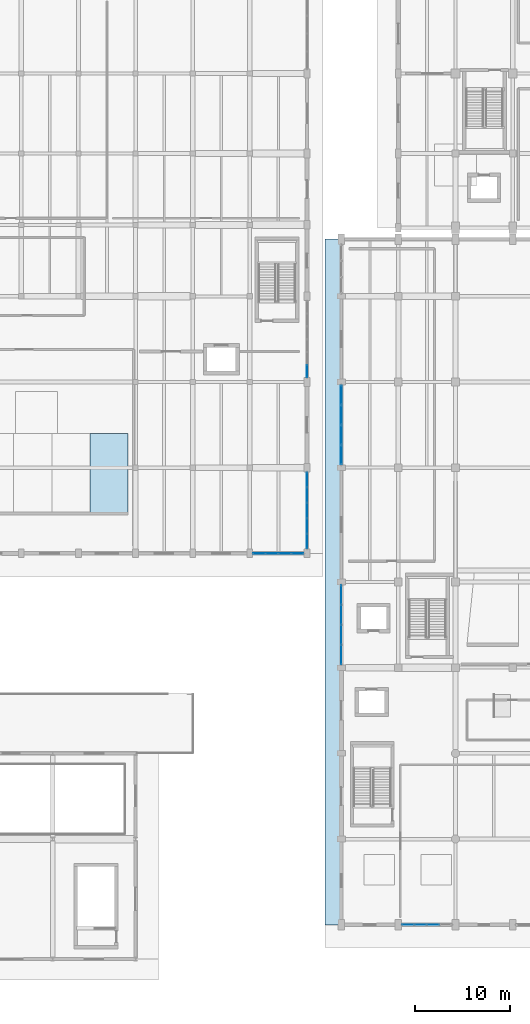
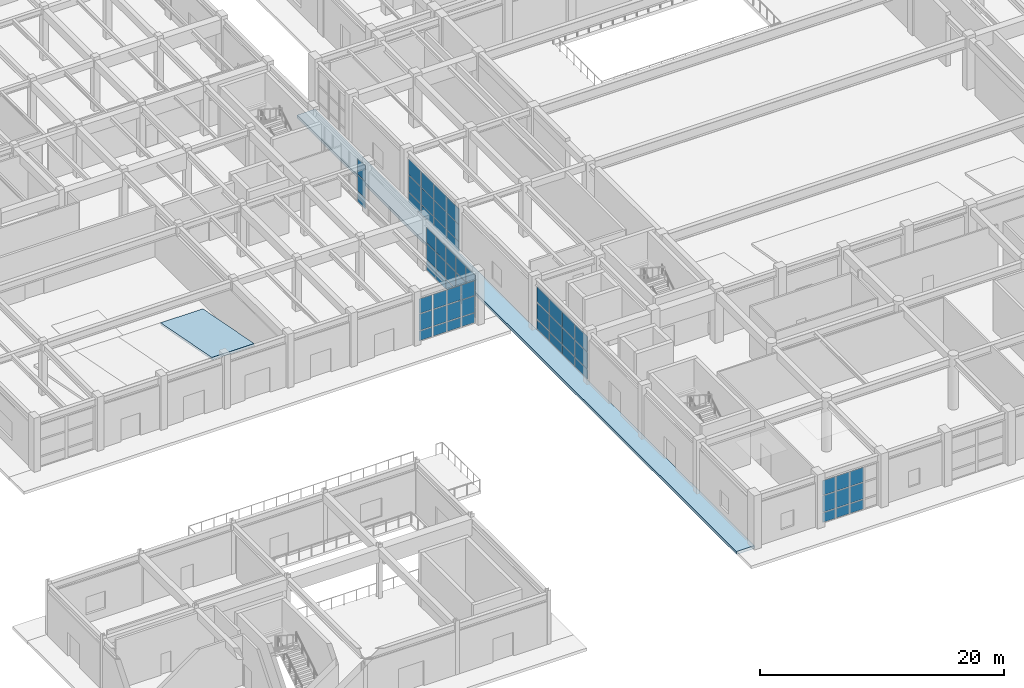
# One storey, part 61 of 91: 63 plates, 2 slabs, 6 elements without a shape of their own.
"""IFC4 building model written with IfcOpenShell, lengths in metres."""

import ifcopenshell
import ifcopenshell.guid

model = None  # the IFC model being written
_history = None  # IfcOwnerHistory: only IFC2X3 demands one
_inside = {}  # id of a spatial element -> (the spatial element, [elements in it])
_under = {}  # id of a project, library or spatial element -> (it, [spatial elements below it])
_declared = {}  # id of a project -> (the project, [libraries it declares])
_typed = {}  # id of a type object -> (the type object, [elements of that type])
_made_of = {}  # id of a material, layer set ... -> (it, [elements and type objects made of it])


def new_model(schema):
    """Start an empty IFC model of exactly this schema.

    Asked for "IFC4X3", IfcOpenShell would pick the latest addendum, in which some entities
    have other attributes; the version numbers below select the first issue.
    IFC2X3 requires an IfcOwnerHistory on every rooted entity: one is made here for all.
    """
    global model, _history
    if schema == "IFC4X3":
        model = ifcopenshell.file(schema_version=(4, 3, 0, 0))
    else:
        model = ifcopenshell.file(schema=schema)
    _inside.clear()
    _under.clear()
    _declared.clear()
    _typed.clear()
    _made_of.clear()
    _history = None
    if model.schema == "IFC2X3":
        org = make("IfcOrganization", Name="unknown")
        user = make(
            "IfcPersonAndOrganization",
            ThePerson=make("IfcPerson", FamilyName="unknown"),
            TheOrganization=org,
        )
        app = make(
            "IfcApplication",
            ApplicationDeveloper=org,
            Version="unknown",
            ApplicationFullName="unknown",
            ApplicationIdentifier="unknown",
        )
        _history = make(
            "IfcOwnerHistory",
            OwningUser=user,
            OwningApplication=app,
            ChangeAction="ADDED",
            CreationDate=0,
        )
    return model


def make(cls, **values):
    """One entity of the class cls with the attributes given. An attribute that is None is left unset."""
    return model.create_entity(
        cls, **{name: value for name, value in values.items() if value is not None}
    )


def rooted(cls, **values):
    """An entity with a GlobalId (a new one), such as an element, a storey or a relation."""
    return make(cls, GlobalId=ifcopenshell.guid.new(), OwnerHistory=_history, **values)


def si_unit(unit_type, name, prefix=None):
    """IfcSIUnit, for example si_unit("LENGTHUNIT", "METRE", prefix="MILLI")."""
    return make("IfcSIUnit", UnitType=unit_type, Prefix=prefix, Name=name)


def assignment(units):
    """IfcUnitAssignment: the units of a project."""
    return None if units is None else make("IfcUnitAssignment", Units=units)


def point(xyz):
    """IfcCartesianPoint."""
    return None if xyz is None else make("IfcCartesianPoint", Coordinates=xyz)


def direction(xyz):
    """IfcDirection."""
    return None if xyz is None else make("IfcDirection", DirectionRatios=xyz)


def frame(location, z_axis=None, x_axis=None):
    """IfcAxis2Placement3D, a coordinate frame: its origin and axes. An axis left out is left unset."""
    return make(
        "IfcAxis2Placement3D",
        Location=point(location),
        Axis=direction(z_axis),
        RefDirection=direction(x_axis),
    )


def frame_2d(location, x_axis=None):
    """IfcAxis2Placement2D, a coordinate frame in the plane: its origin and x axis."""
    return make(
        "IfcAxis2Placement2D", Location=point(location), RefDirection=direction(x_axis)
    )


def origin():
    """The frame at (0, 0, 0) with its axes left unset."""
    return frame((0.0, 0.0, 0.0))


def origin_2d():
    """The frame at (0, 0) in the plane with its x axis left unset."""
    return frame_2d((0.0, 0.0))


def place(relative_to, where):
    """IfcLocalPlacement: puts the frame where relative to a parent placement (None: the world)."""
    return make(
        "IfcLocalPlacement", PlacementRelTo=relative_to, RelativePlacement=where
    )


def context(
    kind, dimensions, precision=None, world=None, true_north=None, identifier=None
):
    """IfcGeometricRepresentationContext, for example the 3D "Model" context."""
    return make(
        "IfcGeometricRepresentationContext",
        ContextIdentifier=identifier,
        ContextType=kind,
        CoordinateSpaceDimension=dimensions,
        Precision=precision,
        WorldCoordinateSystem=world,
        TrueNorth=true_north,
    )


def subcontext(parent, identifier, kind, view, scale=None):
    """IfcGeometricRepresentationSubContext, for example "Body" below "Model"."""
    return make(
        "IfcGeometricRepresentationSubContext",
        ContextIdentifier=identifier,
        ContextType=kind,
        ParentContext=parent,
        TargetScale=scale,
        TargetView=view,
    )


def project(units=None, contexts=None):
    """IfcProject with its units and contexts."""
    return rooted(
        "IfcProject",
        Name="project",
        RepresentationContexts=contexts,
        UnitsInContext=assignment(units),
    )


def spatial(cls, under=None, at=None, **own):
    """A site, building, storey or space (cls), placed at a placement, below another one or the project."""
    s = rooted(cls, ObjectPlacement=at, **own)
    if under is not None:
        _under.setdefault(under.id(), (under, []))[1].append(s)
    return s


def polyline(points):
    """IfcPolyline through the points."""
    return make("IfcPolyline", Points=[point(p) for p in points])


def profile(cls, at=None, kind="AREA", **sizes):
    """A parametric profile (cls). Its sizes go by their IFC names, for example OverallWidth=200.0."""
    return make(cls, ProfileType=kind, Position=at, **sizes)


def rectangle(**sizes):
    """IfcRectangleProfileDef."""
    return profile("IfcRectangleProfileDef", **sizes)


def outline(outer, holes=None, kind="AREA"):
    """IfcArbitraryClosedProfileDef: a profile drawn as a closed curve; with holes, ...WithVoids."""
    if holes is None:
        return make("IfcArbitraryClosedProfileDef", ProfileType=kind, OuterCurve=outer)
    return make(
        "IfcArbitraryProfileDefWithVoids",
        ProfileType=kind,
        OuterCurve=outer,
        InnerCurves=holes,
    )


def extrude(swept, where, along, depth):
    """IfcExtrudedAreaSolid: the profile swept, set in the frame where, extruded along a direction by depth."""
    return make(
        "IfcExtrudedAreaSolid",
        SweptArea=swept,
        Position=where,
        ExtrudedDirection=direction(along),
        Depth=depth,
    )


def shape(context_of_items, identifier, shape_type, items):
    """IfcShapeRepresentation: the items that make up one representation, for example the "Body"."""
    return make(
        "IfcShapeRepresentation",
        ContextOfItems=context_of_items,
        RepresentationIdentifier=identifier,
        RepresentationType=shape_type,
        Items=items,
    )


def material(Name=None, Category=None):
    """IfcMaterial."""
    return make("IfcMaterial", Name=Name, Category=Category)


def layer(
    of_material, thickness, ventilated=None, Name=None, Category=None, Priority=None
):
    """IfcMaterialLayer: one layer of a wall or slab, of a material (None: an air gap)."""
    return make(
        "IfcMaterialLayer",
        Material=of_material,
        LayerThickness=thickness,
        IsVentilated=ventilated,
        Name=Name,
        Category=Category,
        Priority=Priority,
    )


def layer_set(layers, Name=None):
    """IfcMaterialLayerSet."""
    return make("IfcMaterialLayerSet", MaterialLayers=layers, LayerSetName=Name)


def made_of(thing, what):
    """Note that an element or type object is made of a material, layer set ...; save() writes the relation."""
    if what is not None:
        _made_of.setdefault(what.id(), (what, []))[1].append(thing)
    return thing


def type_object(cls, material=None, **own):
    """A type object (cls), such as IfcWallType, which elements share."""
    return made_of(rooted(cls, **own), material)


def element(
    cls,
    number,
    at=None,
    inside=None,
    cuts=None,
    type_object=None,
    material=None,
    context=None,
    identifier="Body",
    shape_type=None,
    held_by="IfcProductDefinitionShape",
    body=None,
    shapes=None,
    **own,
):
    """One element of the class cls, such as IfcWall. Its Tag is "e" and its number.

    at: its placement. inside: the storey or other place that contains it. cuts: it is an
    opening in that element (IfcRelVoidsElement). A single representation is given by context,
    identifier, shape_type and body (its items); several are given by shapes. held_by: the class
    of the entity that holds the representations. save() writes the other relations.
    """
    e = rooted(cls, Tag="e%d" % number, ObjectPlacement=at, **own)
    if body is not None:
        shapes = [shape(context, identifier, shape_type, body)]
    if shapes is not None:
        e.Representation = make(held_by, Representations=shapes)
    if inside is not None:
        _inside.setdefault(inside.id(), (inside, []))[1].append(e)
    if cuts is not None:
        rooted(
            "IfcRelVoidsElement", RelatingBuildingElement=cuts, RelatedOpeningElement=e
        )
    if type_object is not None:
        _typed.setdefault(type_object.id(), (type_object, []))[1].append(e)
    return made_of(e, material)


def aggregate(whole, parts):
    """IfcRelAggregates: a whole, such as a stair, and the parts it consists of."""
    return rooted("IfcRelAggregates", RelatingObject=whole, RelatedObjects=parts)


def save(model, path):
    """Write the relations noted so far, then the file.

    IfcRelAggregates (storeys below a building ...), IfcRelContainedInSpatialStructure (elements
    in a storey), IfcRelDefinesByType, IfcRelAssociatesMaterial and IfcRelDeclares: one each for
    every whole, place, type object, material and project.
    """
    for whole, parts in _under.values():
        aggregate(whole, parts)
    for where, things in _inside.values():
        rooted(
            "IfcRelContainedInSpatialStructure",
            RelatedElements=things,
            RelatingStructure=where,
        )
    for kind, things in _typed.values():
        rooted("IfcRelDefinesByType", RelatedObjects=things, RelatingType=kind)
    for what, things in _made_of.values():
        rooted("IfcRelAssociatesMaterial", RelatedObjects=things, RelatingMaterial=what)
    for by, libraries in _declared.values():
        rooted("IfcRelDeclares", RelatingContext=by, RelatedDefinitions=libraries)
    model.write(path)


model = new_model("IFC4")

# Units and contexts
model_context = context("Model", 3, precision=1e-05, world=origin(), true_north=direction((0.0, 1.0)))
body_context = subcontext(model_context, "Body", "Model", "MODEL_VIEW")
ifc_project = project(units=[si_unit("LENGTHUNIT", "METRE"), si_unit("AREAUNIT", "SQUARE_METRE"), si_unit("VOLUMEUNIT", "CUBIC_METRE"), si_unit("PLANEANGLEUNIT", "RADIAN"), si_unit("MASSUNIT", "GRAM", prefix="KILO")], contexts=[model_context])

# Site, building, storey
site_placement = place(None, origin())
site = spatial("IfcSite", under=ifc_project, at=site_placement, CompositionType="ELEMENT")
building_placement = place(site_placement, origin())
building = spatial("IfcBuilding", under=site, at=building_placement, Name="Vaelkrest Opera House", CompositionType="ELEMENT")
storey_placement = place(building_placement, origin())
storey = spatial("IfcBuildingStorey", under=building, at=storey_placement, Name="L00", CompositionType="ELEMENT", Elevation=0.0)

# Curtain wall, plates
ifc_material_1 = material(Name="Dark bronze anodized aluminium", Category="aluminium")
ifc_layer_1 = layer(ifc_material_1, 0.179931640625)
ifc_layer_set_1 = layer_set([ifc_layer_1], Name="Dark bronze anodized aluminium")
curtain_wall_type_1 = type_object("IfcCurtainWallType", Name="CW01", PredefinedType="NOTDEFINED", material=ifc_layer_set_1)
curtain_wall_1_placement = place(storey_placement, origin())
curtain_wall_1 = element("IfcCurtainWall", 1, at=curtain_wall_1_placement, inside=storey, type_object=curtain_wall_type_1, Name="Curtain wall CW-L00-097", PredefinedType="NOTDEFINED")
ifc_material_2 = material(Name="Double low-E insulated glazing", Category="glass")
ifc_layer_2 = layer(ifc_material_2, 0.02587890625)
ifc_layer_set_2 = layer_set([ifc_layer_2], Name="Double low-E insulated glazing")
plate_type_1 = type_object("IfcPlateType", Name="CWP01", PredefinedType="CURTAIN_PANEL", material=ifc_layer_set_2)
plate_1_placement = place(storey_placement, frame((-33.60009765625, 2.339599609375, 0.06494140625), z_axis=(0.0, 0.0, 1.0), x_axis=(0.0, -1.0, 0.0)))
plate_1 = element("IfcPlate", 2, at=plate_1_placement, type_object=plate_type_1, Name="CW01 panel 6.1", PredefinedType="CURTAIN_PANEL", context=body_context, shape_type="SweptSolid", body=[
    extrude(rectangle(XDim=1.253173828125, YDim=0.02587890625, at=origin_2d()), origin(), (0.0, 0.0, 1.0), 0.952392578125),
])
plate_2_placement = place(storey_placement, frame((-33.60009765625, 2.339599609375, 1.08251953125), z_axis=(0.0, 0.0, 1.0), x_axis=(0.0, -1.0, 0.0)))
plate_2 = element("IfcPlate", 3, at=plate_2_placement, type_object=plate_type_1, Name="CW01 panel 6.2", PredefinedType="CURTAIN_PANEL", context=body_context, shape_type="SweptSolid", body=[
    extrude(rectangle(XDim=1.253173828125, YDim=0.02587890625, at=origin_2d()), origin(), (0.0, 0.0, 1.0), 1.635009765625),
])
plate_3_placement = place(storey_placement, frame((-33.60009765625, 2.339599609375, 2.78271484375), z_axis=(0.0, 0.0, 1.0), x_axis=(0.0, -1.0, 0.0)))
plate_3 = element("IfcPlate", 4, at=plate_3_placement, type_object=plate_type_1, Name="CW01 panel 6.3", PredefinedType="CURTAIN_PANEL", context=body_context, shape_type="SweptSolid", body=[
    extrude(rectangle(XDim=1.253173828125, YDim=0.02587890625, at=origin_2d()), origin(), (0.0, 0.0, 1.0), 1.556396484375),
])
aggregate(curtain_wall_1, [plate_1, plate_2, plate_3])

ifc_layer_3 = layer(ifc_material_1, 0.18994140625)
ifc_layer_set_3 = layer_set([ifc_layer_3], Name="Dark bronze anodized aluminium")
curtain_wall_type_2 = type_object("IfcCurtainWallType", Name="CW02", PredefinedType="NOTDEFINED", material=ifc_layer_set_3)
curtain_wall_2_placement = place(storey_placement, origin())
curtain_wall_2 = element("IfcCurtainWall", 5, at=curtain_wall_2_placement, inside=storey, type_object=curtain_wall_type_2, Name="Curtain wall CW-L00-013", PredefinedType="NOTDEFINED")
ifc_layer_4 = layer(ifc_material_2, 0.030029296875)
ifc_layer_set_4 = layer_set([ifc_layer_4], Name="Double low-E insulated glazing")
plate_type_2 = type_object("IfcPlateType", Name="CWP02", PredefinedType="CURTAIN_PANEL", material=ifc_layer_set_4)
plate_4_placement = place(storey_placement, frame((-20.3369140625, -55.800048828125, 0.06982421875), z_axis=(0.0, 0.0, 1.0), x_axis=(-1.0, 0.0, 0.0)))
plate_4 = element("IfcPlate", 6, at=plate_4_placement, type_object=plate_type_2, Name="CW02 panel 2.1", PredefinedType="CURTAIN_PANEL", context=body_context, shape_type="SweptSolid", body=[
    extrude(rectangle(XDim=1.256103515625, YDim=0.030029296875, at=origin_2d()), origin(), (0.0, 0.0, 1.0), 0.945068359375),
])
plate_5_placement = place(storey_placement, frame((-20.3369140625, -55.800048828125, 1.0849609375), z_axis=(0.0, 0.0, 1.0), x_axis=(-1.0, 0.0, 0.0)))
plate_5 = element("IfcPlate", 7, at=plate_5_placement, type_object=plate_type_2, Name="CW02 panel 2.2", PredefinedType="CURTAIN_PANEL", context=body_context, shape_type="SweptSolid", body=[
    extrude(rectangle(XDim=1.256103515625, YDim=0.030029296875, at=origin_2d()), origin(), (0.0, 0.0, 1.0), 1.6298828125),
])
plate_6_placement = place(storey_placement, frame((-20.3369140625, -55.800048828125, 2.78515625), z_axis=(0.0, 0.0, 1.0), x_axis=(-1.0, 0.0, 0.0)))
plate_6 = element("IfcPlate", 8, at=plate_6_placement, type_object=plate_type_2, Name="CW02 panel 2.3", PredefinedType="CURTAIN_PANEL", context=body_context, shape_type="SweptSolid", body=[
    extrude(rectangle(XDim=1.256103515625, YDim=0.030029296875, at=origin_2d()), origin(), (0.0, 0.0, 1.0), 1.465087890625),
])
plate_7_placement = place(storey_placement, frame((-21.6630859375, -55.800048828125, 0.06982421875), z_axis=(0.0, 0.0, 1.0), x_axis=(-1.0, 0.0, 0.0)))
plate_7 = element("IfcPlate", 9, at=plate_7_placement, type_object=plate_type_2, Name="CW02 panel 3.1", PredefinedType="CURTAIN_PANEL", context=body_context, shape_type="SweptSolid", body=[
    extrude(rectangle(XDim=1.256103515625, YDim=0.030029296875, at=origin_2d()), origin(), (0.0, 0.0, 1.0), 0.945068359375),
])
plate_8_placement = place(storey_placement, frame((-21.6630859375, -55.800048828125, 1.0849609375), z_axis=(0.0, 0.0, 1.0), x_axis=(-1.0, 0.0, 0.0)))
plate_8 = element("IfcPlate", 10, at=plate_8_placement, type_object=plate_type_2, Name="CW02 panel 3.2", PredefinedType="CURTAIN_PANEL", context=body_context, shape_type="SweptSolid", body=[
    extrude(rectangle(XDim=1.256103515625, YDim=0.030029296875, at=origin_2d()), origin(), (0.0, 0.0, 1.0), 1.6298828125),
])
plate_9_placement = place(storey_placement, frame((-21.6630859375, -55.800048828125, 2.78515625), z_axis=(0.0, 0.0, 1.0), x_axis=(-1.0, 0.0, 0.0)))
plate_9 = element("IfcPlate", 11, at=plate_9_placement, type_object=plate_type_2, Name="CW02 panel 3.3", PredefinedType="CURTAIN_PANEL", context=body_context, shape_type="SweptSolid", body=[
    extrude(rectangle(XDim=1.256103515625, YDim=0.030029296875, at=origin_2d()), origin(), (0.0, 0.0, 1.0), 1.465087890625),
])
plate_10_placement = place(storey_placement, frame((-22.971435546875, -55.800048828125, 0.06982421875), z_axis=(0.0, 0.0, 1.0), x_axis=(-1.0, 0.0, 0.0)))
plate_10 = element("IfcPlate", 12, at=plate_10_placement, type_object=plate_type_2, Name="CW02 panel 4.1", PredefinedType="CURTAIN_PANEL", context=body_context, shape_type="SweptSolid", body=[
    extrude(rectangle(XDim=1.220947265625, YDim=0.030029296875, at=origin_2d()), origin(), (0.0, 0.0, 1.0), 0.945068359375),
])
plate_11_placement = place(storey_placement, frame((-22.971435546875, -55.800048828125, 1.0849609375), z_axis=(0.0, 0.0, 1.0), x_axis=(-1.0, 0.0, 0.0)))
plate_11 = element("IfcPlate", 13, at=plate_11_placement, type_object=plate_type_2, Name="CW02 panel 4.2", PredefinedType="CURTAIN_PANEL", context=body_context, shape_type="SweptSolid", body=[
    extrude(rectangle(XDim=1.220947265625, YDim=0.030029296875, at=origin_2d()), origin(), (0.0, 0.0, 1.0), 1.6298828125),
])
plate_12_placement = place(storey_placement, frame((-22.971435546875, -55.800048828125, 2.78515625), z_axis=(0.0, 0.0, 1.0), x_axis=(-1.0, 0.0, 0.0)))
plate_12 = element("IfcPlate", 14, at=plate_12_placement, type_object=plate_type_2, Name="CW02 panel 4.3", PredefinedType="CURTAIN_PANEL", context=body_context, shape_type="SweptSolid", body=[
    extrude(rectangle(XDim=1.220947265625, YDim=0.030029296875, at=origin_2d()), origin(), (0.0, 0.0, 1.0), 1.465087890625),
])
aggregate(curtain_wall_2, [plate_4, plate_5, plate_6, plate_7, plate_8, plate_9, plate_10, plate_11, plate_12])

curtain_wall_3_placement = place(storey_placement, origin())
curtain_wall_3 = element("IfcCurtainWall", 15, at=curtain_wall_3_placement, inside=storey, type_object=curtain_wall_type_2, Name="Curtain wall CW-L00-088", PredefinedType="NOTDEFINED")
plate_13_placement = place(storey_placement, frame((-34.591064453125, -16.800048828125, 0.06982421875), z_axis=(0.0, 0.0, 1.0), x_axis=(-1.0, 0.0, 0.0)))
plate_13 = element("IfcPlate", 16, at=plate_13_placement, type_object=plate_type_2, Name="CW02 panel 1.1", PredefinedType="CURTAIN_PANEL", context=body_context, shape_type="SweptSolid", body=[
    extrude(rectangle(XDim=1.24609375, YDim=0.030029296875, at=origin_2d()), origin(), (0.0, 0.0, 1.0), 0.945068359375),
])
plate_14_placement = place(storey_placement, frame((-34.591064453125, -16.800048828125, 1.0849609375), z_axis=(0.0, 0.0, 1.0), x_axis=(-1.0, 0.0, 0.0)))
plate_14 = element("IfcPlate", 17, at=plate_14_placement, type_object=plate_type_2, Name="CW02 panel 1.2", PredefinedType="CURTAIN_PANEL", context=body_context, shape_type="SweptSolid", body=[
    extrude(rectangle(XDim=1.24609375, YDim=0.030029296875, at=origin_2d()), origin(), (0.0, 0.0, 1.0), 1.6298828125),
])
plate_15_placement = place(storey_placement, frame((-34.591064453125, -16.800048828125, 2.78515625), z_axis=(0.0, 0.0, 1.0), x_axis=(-1.0, 0.0, 0.0)))
plate_15 = element("IfcPlate", 18, at=plate_15_placement, type_object=plate_type_2, Name="CW02 panel 1.3", PredefinedType="CURTAIN_PANEL", context=body_context, shape_type="SweptSolid", body=[
    extrude(rectangle(XDim=1.24609375, YDim=0.030029296875, at=origin_2d()), origin(), (0.0, 0.0, 1.0), 1.465087890625),
])
plate_16_placement = place(storey_placement, frame((-35.924560546875, -16.800048828125, 0.06982421875), z_axis=(0.0, 0.0, 1.0), x_axis=(-1.0, 0.0, 0.0)))
plate_16 = element("IfcPlate", 19, at=plate_16_placement, type_object=plate_type_2, Name="CW02 panel 2.1", PredefinedType="CURTAIN_PANEL", context=body_context, shape_type="SweptSolid", body=[
    extrude(rectangle(XDim=1.281005859375, YDim=0.030029296875, at=origin_2d()), origin(), (0.0, 0.0, 1.0), 0.945068359375),
])
plate_17_placement = place(storey_placement, frame((-35.924560546875, -16.800048828125, 1.0849609375), z_axis=(0.0, 0.0, 1.0), x_axis=(-1.0, 0.0, 0.0)))
plate_17 = element("IfcPlate", 20, at=plate_17_placement, type_object=plate_type_2, Name="CW02 panel 2.2", PredefinedType="CURTAIN_PANEL", context=body_context, shape_type="SweptSolid", body=[
    extrude(rectangle(XDim=1.281005859375, YDim=0.030029296875, at=origin_2d()), origin(), (0.0, 0.0, 1.0), 1.6298828125),
])
plate_18_placement = place(storey_placement, frame((-35.924560546875, -16.800048828125, 2.78515625), z_axis=(0.0, 0.0, 1.0), x_axis=(-1.0, 0.0, 0.0)))
plate_18 = element("IfcPlate", 21, at=plate_18_placement, type_object=plate_type_2, Name="CW02 panel 2.3", PredefinedType="CURTAIN_PANEL", context=body_context, shape_type="SweptSolid", body=[
    extrude(rectangle(XDim=1.281005859375, YDim=0.030029296875, at=origin_2d()), origin(), (0.0, 0.0, 1.0), 1.465087890625),
])
plate_19_placement = place(storey_placement, frame((-37.275390625, -16.800048828125, 0.06982421875), z_axis=(0.0, 0.0, 1.0), x_axis=(-1.0, 0.0, 0.0)))
plate_19 = element("IfcPlate", 22, at=plate_19_placement, type_object=plate_type_2, Name="CW02 panel 3.1", PredefinedType="CURTAIN_PANEL", context=body_context, shape_type="SweptSolid", body=[
    extrude(rectangle(XDim=1.281005859375, YDim=0.030029296875, at=origin_2d()), origin(), (0.0, 0.0, 1.0), 0.945068359375),
])
plate_20_placement = place(storey_placement, frame((-37.275390625, -16.800048828125, 1.0849609375), z_axis=(0.0, 0.0, 1.0), x_axis=(-1.0, 0.0, 0.0)))
plate_20 = element("IfcPlate", 23, at=plate_20_placement, type_object=plate_type_2, Name="CW02 panel 3.2", PredefinedType="CURTAIN_PANEL", context=body_context, shape_type="SweptSolid", body=[
    extrude(rectangle(XDim=1.281005859375, YDim=0.030029296875, at=origin_2d()), origin(), (0.0, 0.0, 1.0), 1.6298828125),
])
plate_21_placement = place(storey_placement, frame((-37.275390625, -16.800048828125, 2.78515625), z_axis=(0.0, 0.0, 1.0), x_axis=(-1.0, 0.0, 0.0)))
plate_21 = element("IfcPlate", 24, at=plate_21_placement, type_object=plate_type_2, Name="CW02 panel 3.3", PredefinedType="CURTAIN_PANEL", context=body_context, shape_type="SweptSolid", body=[
    extrude(rectangle(XDim=1.281005859375, YDim=0.030029296875, at=origin_2d()), origin(), (0.0, 0.0, 1.0), 1.465087890625),
])
plate_22_placement = place(storey_placement, frame((-38.60888671875, -16.800048828125, 0.06982421875), z_axis=(0.0, 0.0, 1.0), x_axis=(-1.0, 0.0, 0.0)))
plate_22 = element("IfcPlate", 25, at=plate_22_placement, type_object=plate_type_2, Name="CW02 panel 4.1", PredefinedType="CURTAIN_PANEL", context=body_context, shape_type="SweptSolid", body=[
    extrude(rectangle(XDim=1.24609375, YDim=0.030029296875, at=origin_2d()), origin(), (0.0, 0.0, 1.0), 0.945068359375),
])
plate_23_placement = place(storey_placement, frame((-38.60888671875, -16.800048828125, 1.0849609375), z_axis=(0.0, 0.0, 1.0), x_axis=(-1.0, 0.0, 0.0)))
plate_23 = element("IfcPlate", 26, at=plate_23_placement, type_object=plate_type_2, Name="CW02 panel 4.2", PredefinedType="CURTAIN_PANEL", context=body_context, shape_type="SweptSolid", body=[
    extrude(rectangle(XDim=1.24609375, YDim=0.030029296875, at=origin_2d()), origin(), (0.0, 0.0, 1.0), 1.6298828125),
])
plate_24_placement = place(storey_placement, frame((-38.60888671875, -16.800048828125, 2.78515625), z_axis=(0.0, 0.0, 1.0), x_axis=(-1.0, 0.0, 0.0)))
plate_24 = element("IfcPlate", 27, at=plate_24_placement, type_object=plate_type_2, Name="CW02 panel 4.3", PredefinedType="CURTAIN_PANEL", context=body_context, shape_type="SweptSolid", body=[
    extrude(rectangle(XDim=1.24609375, YDim=0.030029296875, at=origin_2d()), origin(), (0.0, 0.0, 1.0), 1.465087890625),
])
aggregate(curtain_wall_3, [plate_13, plate_14, plate_15, plate_16, plate_17, plate_18, plate_19, plate_20, plate_21, plate_22, plate_23, plate_24])

ifc_layer_5 = layer(ifc_material_1, 0.199951171875)
ifc_layer_set_5 = layer_set([ifc_layer_5], Name="Dark bronze anodized aluminium")
curtain_wall_type_3 = type_object("IfcCurtainWallType", Name="CW03", PredefinedType="NOTDEFINED", material=ifc_layer_set_5)
curtain_wall_4_placement = place(storey_placement, origin())
curtain_wall_4 = element("IfcCurtainWall", 28, at=curtain_wall_4_placement, inside=storey, type_object=curtain_wall_type_3, Name="Curtain wall CW-L00-098", PredefinedType="NOTDEFINED")
ifc_layer_6 = layer(ifc_material_2, 0.033935546875)
ifc_layer_set_6 = layer_set([ifc_layer_6], Name="Double low-E insulated glazing")
plate_type_3 = type_object("IfcPlateType", Name="CWP03", PredefinedType="CURTAIN_PANEL", material=ifc_layer_set_6)
plate_25_placement = place(storey_placement, frame((-33.60009765625, -9.0771484375, 0.074951171875), z_axis=(0.0, 0.0, 1.0), x_axis=(0.0, -1.0, 0.0)))
plate_25 = element("IfcPlate", 29, at=plate_25_placement, type_object=plate_type_3, Name="CW03 panel 1.1", PredefinedType="CURTAIN_PANEL", context=body_context, shape_type="SweptSolid", body=[
    extrude(rectangle(XDim=1.50830078125, YDim=0.033935546875, at=origin_2d()), origin(), (0.0, 0.0, 1.0), 0.9375),
])
plate_26_placement = place(storey_placement, frame((-33.60009765625, -9.0771484375, 1.08740234375), z_axis=(0.0, 0.0, 1.0), x_axis=(0.0, -1.0, 0.0)))
plate_26 = element("IfcPlate", 30, at=plate_26_placement, type_object=plate_type_3, Name="CW03 panel 1.2", PredefinedType="CURTAIN_PANEL", context=body_context, shape_type="SweptSolid", body=[
    extrude(rectangle(XDim=1.50830078125, YDim=0.033935546875, at=origin_2d()), origin(), (0.0, 0.0, 1.0), 1.625),
])
plate_27_placement = place(storey_placement, frame((-33.60009765625, -9.0771484375, 2.78759765625), z_axis=(0.0, 0.0, 1.0), x_axis=(0.0, -1.0, 0.0)))
plate_27 = element("IfcPlate", 31, at=plate_27_placement, type_object=plate_type_3, Name="CW03 panel 1.3", PredefinedType="CURTAIN_PANEL", context=body_context, shape_type="SweptSolid", body=[
    extrude(rectangle(XDim=1.50830078125, YDim=0.033935546875, at=origin_2d()), origin(), (0.0, 0.0, 1.0), 1.54150390625),
])
plate_28_placement = place(storey_placement, frame((-33.60009765625, -10.67919921875, 0.074951171875), z_axis=(0.0, 0.0, 1.0), x_axis=(0.0, -1.0, 0.0)))
plate_28 = element("IfcPlate", 32, at=plate_28_placement, type_object=plate_type_3, Name="CW03 panel 2.1", PredefinedType="CURTAIN_PANEL", context=body_context, shape_type="SweptSolid", body=[
    extrude(rectangle(XDim=1.5458984375, YDim=0.033935546875, at=origin_2d()), origin(), (0.0, 0.0, 1.0), 0.9375),
])
plate_29_placement = place(storey_placement, frame((-33.60009765625, -10.67919921875, 1.08740234375), z_axis=(0.0, 0.0, 1.0), x_axis=(0.0, -1.0, 0.0)))
plate_29 = element("IfcPlate", 33, at=plate_29_placement, type_object=plate_type_3, Name="CW03 panel 2.2", PredefinedType="CURTAIN_PANEL", context=body_context, shape_type="SweptSolid", body=[
    extrude(rectangle(XDim=1.5458984375, YDim=0.033935546875, at=origin_2d()), origin(), (0.0, 0.0, 1.0), 1.625),
])
plate_30_placement = place(storey_placement, frame((-33.60009765625, -10.67919921875, 2.78759765625), z_axis=(0.0, 0.0, 1.0), x_axis=(0.0, -1.0, 0.0)))
plate_30 = element("IfcPlate", 34, at=plate_30_placement, type_object=plate_type_3, Name="CW03 panel 2.3", PredefinedType="CURTAIN_PANEL", context=body_context, shape_type="SweptSolid", body=[
    extrude(rectangle(XDim=1.5458984375, YDim=0.033935546875, at=origin_2d()), origin(), (0.0, 0.0, 1.0), 1.54150390625),
])
plate_31_placement = place(storey_placement, frame((-33.60009765625, -12.300048828125, 0.074951171875), z_axis=(0.0, 0.0, 1.0), x_axis=(0.0, -1.0, 0.0)))
plate_31 = element("IfcPlate", 35, at=plate_31_placement, type_object=plate_type_3, Name="CW03 panel 3.1", PredefinedType="CURTAIN_PANEL", context=body_context, shape_type="SweptSolid", body=[
    extrude(rectangle(XDim=1.5458984375, YDim=0.033935546875, at=origin_2d()), origin(), (0.0, 0.0, 1.0), 0.9375),
])
plate_32_placement = place(storey_placement, frame((-33.60009765625, -12.300048828125, 1.08740234375), z_axis=(0.0, 0.0, 1.0), x_axis=(0.0, -1.0, 0.0)))
plate_32 = element("IfcPlate", 36, at=plate_32_placement, type_object=plate_type_3, Name="CW03 panel 3.2", PredefinedType="CURTAIN_PANEL", context=body_context, shape_type="SweptSolid", body=[
    extrude(rectangle(XDim=1.5458984375, YDim=0.033935546875, at=origin_2d()), origin(), (0.0, 0.0, 1.0), 1.625),
])
plate_33_placement = place(storey_placement, frame((-33.60009765625, -12.300048828125, 2.78759765625), z_axis=(0.0, 0.0, 1.0), x_axis=(0.0, -1.0, 0.0)))
plate_33 = element("IfcPlate", 37, at=plate_33_placement, type_object=plate_type_3, Name="CW03 panel 3.3", PredefinedType="CURTAIN_PANEL", context=body_context, shape_type="SweptSolid", body=[
    extrude(rectangle(XDim=1.5458984375, YDim=0.033935546875, at=origin_2d()), origin(), (0.0, 0.0, 1.0), 1.54150390625),
])
plate_34_placement = place(storey_placement, frame((-33.60009765625, -13.9208984375, 0.074951171875), z_axis=(0.0, 0.0, 1.0), x_axis=(0.0, -1.0, 0.0)))
plate_34 = element("IfcPlate", 38, at=plate_34_placement, type_object=plate_type_3, Name="CW03 panel 4.1", PredefinedType="CURTAIN_PANEL", context=body_context, shape_type="SweptSolid", body=[
    extrude(rectangle(XDim=1.5458984375, YDim=0.033935546875, at=origin_2d()), origin(), (0.0, 0.0, 1.0), 0.9375),
])
plate_35_placement = place(storey_placement, frame((-33.60009765625, -13.9208984375, 1.08740234375), z_axis=(0.0, 0.0, 1.0), x_axis=(0.0, -1.0, 0.0)))
plate_35 = element("IfcPlate", 39, at=plate_35_placement, type_object=plate_type_3, Name="CW03 panel 4.2", PredefinedType="CURTAIN_PANEL", context=body_context, shape_type="SweptSolid", body=[
    extrude(rectangle(XDim=1.5458984375, YDim=0.033935546875, at=origin_2d()), origin(), (0.0, 0.0, 1.0), 1.625),
])
plate_36_placement = place(storey_placement, frame((-33.60009765625, -13.9208984375, 2.78759765625), z_axis=(0.0, 0.0, 1.0), x_axis=(0.0, -1.0, 0.0)))
plate_36 = element("IfcPlate", 40, at=plate_36_placement, type_object=plate_type_3, Name="CW03 panel 4.3", PredefinedType="CURTAIN_PANEL", context=body_context, shape_type="SweptSolid", body=[
    extrude(rectangle(XDim=1.5458984375, YDim=0.033935546875, at=origin_2d()), origin(), (0.0, 0.0, 1.0), 1.54150390625),
])
plate_37_placement = place(storey_placement, frame((-33.60009765625, -15.52294921875, 0.074951171875), z_axis=(0.0, 0.0, 1.0), x_axis=(0.0, -1.0, 0.0)))
plate_37 = element("IfcPlate", 41, at=plate_37_placement, type_object=plate_type_3, Name="CW03 panel 5.1", PredefinedType="CURTAIN_PANEL", context=body_context, shape_type="SweptSolid", body=[
    extrude(rectangle(XDim=1.50830078125, YDim=0.033935546875, at=origin_2d()), origin(), (0.0, 0.0, 1.0), 0.9375),
])
plate_38_placement = place(storey_placement, frame((-33.60009765625, -15.52294921875, 1.08740234375), z_axis=(0.0, 0.0, 1.0), x_axis=(0.0, -1.0, 0.0)))
plate_38 = element("IfcPlate", 42, at=plate_38_placement, type_object=plate_type_3, Name="CW03 panel 5.2", PredefinedType="CURTAIN_PANEL", context=body_context, shape_type="SweptSolid", body=[
    extrude(rectangle(XDim=1.50830078125, YDim=0.033935546875, at=origin_2d()), origin(), (0.0, 0.0, 1.0), 1.625),
])
plate_39_placement = place(storey_placement, frame((-33.60009765625, -15.52294921875, 2.78759765625), z_axis=(0.0, 0.0, 1.0), x_axis=(0.0, -1.0, 0.0)))
plate_39 = element("IfcPlate", 43, at=plate_39_placement, type_object=plate_type_3, Name="CW03 panel 5.3", PredefinedType="CURTAIN_PANEL", context=body_context, shape_type="SweptSolid", body=[
    extrude(rectangle(XDim=1.50830078125, YDim=0.033935546875, at=origin_2d()), origin(), (0.0, 0.0, 1.0), 1.54150390625),
])
aggregate(curtain_wall_4, [plate_25, plate_26, plate_27, plate_28, plate_29, plate_30, plate_31, plate_32, plate_33, plate_34, plate_35, plate_36, plate_37, plate_38, plate_39])

ifc_layer_7 = layer(ifc_material_1, 0.22998046875)
ifc_layer_set_7 = layer_set([ifc_layer_7], Name="Dark bronze anodized aluminium")
curtain_wall_type_4 = type_object("IfcCurtainWallType", Name="CW06", PredefinedType="NOTDEFINED", material=ifc_layer_set_7)
curtain_wall_5_placement = place(storey_placement, origin())
curtain_wall_5 = element("IfcCurtainWall", 44, at=curtain_wall_5_placement, inside=storey, type_object=curtain_wall_type_4, Name="Curtain wall CW-L00-014", PredefinedType="NOTDEFINED")
ifc_material_3 = material(Name="Dark bronze anodized aluminium spandrel", Category="aluminium")
ifc_layer_8 = layer(ifc_material_3, 0.0458984375)
ifc_layer_set_8 = layer_set([ifc_layer_8], Name="Dark bronze anodized aluminium spandrel")
plate_type_4 = type_object("IfcPlateType", Name="CWP06", PredefinedType="CURTAIN_PANEL", material=ifc_layer_set_8)
plate_40_placement = place(storey_placement, frame((-30.0, -27.43408203125, 0.080078125), z_axis=(0.0, 0.0, 1.0), x_axis=(0.0, 1.0, 0.0)))
plate_40 = element("IfcPlate", 45, at=plate_40_placement, type_object=plate_type_4, Name="CW06 panel 1.1", PredefinedType="CURTAIN_PANEL", context=body_context, shape_type="SweptSolid", body=[
    extrude(rectangle(XDim=1.99609375, YDim=0.0458984375, at=origin_2d()), origin(), (0.0, 0.0, 1.0), 0.929931640625),
])
plate_41_placement = place(storey_placement, frame((-30.0, -27.43408203125, 1.08984375), z_axis=(0.0, 0.0, 1.0), x_axis=(0.0, 1.0, 0.0)))
plate_41 = element("IfcPlate", 46, at=plate_41_placement, type_object=plate_type_4, Name="CW06 panel 1.2", PredefinedType="CURTAIN_PANEL", context=body_context, shape_type="SweptSolid", body=[
    extrude(rectangle(XDim=1.99609375, YDim=0.0458984375, at=origin_2d()), origin(), (0.0, 0.0, 1.0), 1.6201171875),
])
plate_42_placement = place(storey_placement, frame((-30.0, -27.43408203125, 2.7900390625), z_axis=(0.0, 0.0, 1.0), x_axis=(0.0, 1.0, 0.0)))
plate_42 = element("IfcPlate", 47, at=plate_42_placement, type_object=plate_type_4, Name="CW06 panel 1.3", PredefinedType="CURTAIN_PANEL", context=body_context, shape_type="SweptSolid", body=[
    extrude(rectangle(XDim=1.99609375, YDim=0.0458984375, at=origin_2d()), origin(), (0.0, 0.0, 1.0), 1.533935546875),
])
plate_43_placement = place(storey_placement, frame((-30.0, -25.3505859375, 0.080078125), z_axis=(0.0, 0.0, 1.0), x_axis=(0.0, 1.0, 0.0)))
plate_43 = element("IfcPlate", 48, at=plate_43_placement, type_object=plate_type_4, Name="CW06 panel 2.1", PredefinedType="CURTAIN_PANEL", context=body_context, shape_type="SweptSolid", body=[
    extrude(rectangle(XDim=2.031005859375, YDim=0.0458984375, at=origin_2d()), origin(), (0.0, 0.0, 1.0), 0.929931640625),
])
plate_44_placement = place(storey_placement, frame((-30.0, -25.3505859375, 1.08984375), z_axis=(0.0, 0.0, 1.0), x_axis=(0.0, 1.0, 0.0)))
plate_44 = element("IfcPlate", 49, at=plate_44_placement, type_object=plate_type_4, Name="CW06 panel 2.2", PredefinedType="CURTAIN_PANEL", context=body_context, shape_type="SweptSolid", body=[
    extrude(rectangle(XDim=2.031005859375, YDim=0.0458984375, at=origin_2d()), origin(), (0.0, 0.0, 1.0), 1.6201171875),
])
plate_45_placement = place(storey_placement, frame((-30.0, -25.3505859375, 2.7900390625), z_axis=(0.0, 0.0, 1.0), x_axis=(0.0, 1.0, 0.0)))
plate_45 = element("IfcPlate", 50, at=plate_45_placement, type_object=plate_type_4, Name="CW06 panel 2.3", PredefinedType="CURTAIN_PANEL", context=body_context, shape_type="SweptSolid", body=[
    extrude(rectangle(XDim=2.031005859375, YDim=0.0458984375, at=origin_2d()), origin(), (0.0, 0.0, 1.0), 1.533935546875),
])
plate_46_placement = place(storey_placement, frame((-30.0, -23.24951171875, 0.080078125), z_axis=(0.0, 0.0, 1.0), x_axis=(0.0, 1.0, 0.0)))
plate_46 = element("IfcPlate", 51, at=plate_46_placement, type_object=plate_type_4, Name="CW06 panel 3.1", PredefinedType="CURTAIN_PANEL", context=body_context, shape_type="SweptSolid", body=[
    extrude(rectangle(XDim=2.031005859375, YDim=0.0458984375, at=origin_2d()), origin(), (0.0, 0.0, 1.0), 0.929931640625),
])
plate_47_placement = place(storey_placement, frame((-30.0, -23.24951171875, 1.08984375), z_axis=(0.0, 0.0, 1.0), x_axis=(0.0, 1.0, 0.0)))
plate_47 = element("IfcPlate", 52, at=plate_47_placement, type_object=plate_type_4, Name="CW06 panel 3.2", PredefinedType="CURTAIN_PANEL", context=body_context, shape_type="SweptSolid", body=[
    extrude(rectangle(XDim=2.031005859375, YDim=0.0458984375, at=origin_2d()), origin(), (0.0, 0.0, 1.0), 1.6201171875),
])
plate_48_placement = place(storey_placement, frame((-30.0, -23.24951171875, 2.7900390625), z_axis=(0.0, 0.0, 1.0), x_axis=(0.0, 1.0, 0.0)))
plate_48 = element("IfcPlate", 53, at=plate_48_placement, type_object=plate_type_4, Name="CW06 panel 3.3", PredefinedType="CURTAIN_PANEL", context=body_context, shape_type="SweptSolid", body=[
    extrude(rectangle(XDim=2.031005859375, YDim=0.0458984375, at=origin_2d()), origin(), (0.0, 0.0, 1.0), 1.533935546875),
])
plate_49_placement = place(storey_placement, frame((-30.0, -21.166015625, 0.080078125), z_axis=(0.0, 0.0, 1.0), x_axis=(0.0, 1.0, 0.0)))
plate_49 = element("IfcPlate", 54, at=plate_49_placement, type_object=plate_type_4, Name="CW06 panel 4.1", PredefinedType="CURTAIN_PANEL", context=body_context, shape_type="SweptSolid", body=[
    extrude(rectangle(XDim=1.99609375, YDim=0.0458984375, at=origin_2d()), origin(), (0.0, 0.0, 1.0), 0.929931640625),
])
plate_50_placement = place(storey_placement, frame((-30.0, -21.166015625, 1.08984375), z_axis=(0.0, 0.0, 1.0), x_axis=(0.0, 1.0, 0.0)))
plate_50 = element("IfcPlate", 55, at=plate_50_placement, type_object=plate_type_4, Name="CW06 panel 4.2", PredefinedType="CURTAIN_PANEL", context=body_context, shape_type="SweptSolid", body=[
    extrude(rectangle(XDim=1.99609375, YDim=0.0458984375, at=origin_2d()), origin(), (0.0, 0.0, 1.0), 1.6201171875),
])
plate_51_placement = place(storey_placement, frame((-30.0, -21.166015625, 2.7900390625), z_axis=(0.0, 0.0, 1.0), x_axis=(0.0, 1.0, 0.0)))
plate_51 = element("IfcPlate", 56, at=plate_51_placement, type_object=plate_type_4, Name="CW06 panel 4.3", PredefinedType="CURTAIN_PANEL", context=body_context, shape_type="SweptSolid", body=[
    extrude(rectangle(XDim=1.99609375, YDim=0.0458984375, at=origin_2d()), origin(), (0.0, 0.0, 1.0), 1.533935546875),
])
aggregate(curtain_wall_5, [plate_40, plate_41, plate_42, plate_43, plate_44, plate_45, plate_46, plate_47, plate_48, plate_49, plate_50, plate_51])

ifc_layer_9 = layer(ifc_material_1, 0.25)
ifc_layer_set_9 = layer_set([ifc_layer_9], Name="Dark bronze anodized aluminium")
curtain_wall_type_5 = type_object("IfcCurtainWallType", Name="CW08", PredefinedType="NOTDEFINED", material=ifc_layer_set_9)
curtain_wall_6_placement = place(storey_placement, origin())
curtain_wall_6 = element("IfcCurtainWall", 57, at=curtain_wall_6_placement, inside=storey, type_object=curtain_wall_type_5, Name="Curtain wall CW-L00-015", PredefinedType="NOTDEFINED")
ifc_layer_10 = layer(ifc_material_3, 0.05810546875)
ifc_layer_set_10 = layer_set([ifc_layer_10], Name="Dark bronze anodized aluminium spandrel")
plate_type_5 = type_object("IfcPlateType", Name="CWP08", PredefinedType="CURTAIN_PANEL", material=ifc_layer_set_10)
plate_52_placement = place(storey_placement, frame((-30.0, -6.431396484375, 0.06982421875), z_axis=(0.0, 0.0, 1.0), x_axis=(0.0, 1.0, 0.0)))
plate_52 = element("IfcPlate", 58, at=plate_52_placement, type_object=plate_type_5, Name="CW08 panel 1.1", PredefinedType="CURTAIN_PANEL", context=body_context, shape_type="SweptSolid", body=[
    extrude(rectangle(XDim=1.98095703125, YDim=0.05810546875, at=origin_2d()), origin(), (0.0, 0.0, 1.0), 0.945068359375),
])
plate_53_placement = place(storey_placement, frame((-30.0, -6.431396484375, 1.0849609375), z_axis=(0.0, 0.0, 1.0), x_axis=(0.0, 1.0, 0.0)))
plate_53 = element("IfcPlate", 59, at=plate_53_placement, type_object=plate_type_5, Name="CW08 panel 1.2", PredefinedType="CURTAIN_PANEL", context=body_context, shape_type="SweptSolid", body=[
    extrude(rectangle(XDim=1.98095703125, YDim=0.05810546875, at=origin_2d()), origin(), (0.0, 0.0, 1.0), 1.6298828125),
])
plate_54_placement = place(storey_placement, frame((-30.0, -6.431396484375, 2.78515625), z_axis=(0.0, 0.0, 1.0), x_axis=(0.0, 1.0, 0.0)))
plate_54 = element("IfcPlate", 60, at=plate_54_placement, type_object=plate_type_5, Name="CW08 panel 1.3", PredefinedType="CURTAIN_PANEL", context=body_context, shape_type="SweptSolid", body=[
    extrude(rectangle(XDim=1.98095703125, YDim=0.05810546875, at=origin_2d()), origin(), (0.0, 0.0, 1.0), 1.549072265625),
])
plate_55_placement = place(storey_placement, frame((-30.0, -4.3505859375, 0.06982421875), z_axis=(0.0, 0.0, 1.0), x_axis=(0.0, 1.0, 0.0)))
plate_55 = element("IfcPlate", 61, at=plate_55_placement, type_object=plate_type_5, Name="CW08 panel 2.1", PredefinedType="CURTAIN_PANEL", context=body_context, shape_type="SweptSolid", body=[
    extrude(rectangle(XDim=2.02099609375, YDim=0.05810546875, at=origin_2d()), origin(), (0.0, 0.0, 1.0), 0.945068359375),
])
plate_56_placement = place(storey_placement, frame((-30.0, -4.3505859375, 1.0849609375), z_axis=(0.0, 0.0, 1.0), x_axis=(0.0, 1.0, 0.0)))
plate_56 = element("IfcPlate", 62, at=plate_56_placement, type_object=plate_type_5, Name="CW08 panel 2.2", PredefinedType="CURTAIN_PANEL", context=body_context, shape_type="SweptSolid", body=[
    extrude(rectangle(XDim=2.02099609375, YDim=0.05810546875, at=origin_2d()), origin(), (0.0, 0.0, 1.0), 1.6298828125),
])
plate_57_placement = place(storey_placement, frame((-30.0, -4.3505859375, 2.78515625), z_axis=(0.0, 0.0, 1.0), x_axis=(0.0, 1.0, 0.0)))
plate_57 = element("IfcPlate", 63, at=plate_57_placement, type_object=plate_type_5, Name="CW08 panel 2.3", PredefinedType="CURTAIN_PANEL", context=body_context, shape_type="SweptSolid", body=[
    extrude(rectangle(XDim=2.02099609375, YDim=0.05810546875, at=origin_2d()), origin(), (0.0, 0.0, 1.0), 1.549072265625),
])
plate_58_placement = place(storey_placement, frame((-30.0, -2.24951171875, 0.06982421875), z_axis=(0.0, 0.0, 1.0), x_axis=(0.0, 1.0, 0.0)))
plate_58 = element("IfcPlate", 64, at=plate_58_placement, type_object=plate_type_5, Name="CW08 panel 3.1", PredefinedType="CURTAIN_PANEL", context=body_context, shape_type="SweptSolid", body=[
    extrude(rectangle(XDim=2.02099609375, YDim=0.05810546875, at=origin_2d()), origin(), (0.0, 0.0, 1.0), 0.945068359375),
])
plate_59_placement = place(storey_placement, frame((-30.0, -2.24951171875, 1.0849609375), z_axis=(0.0, 0.0, 1.0), x_axis=(0.0, 1.0, 0.0)))
plate_59 = element("IfcPlate", 65, at=plate_59_placement, type_object=plate_type_5, Name="CW08 panel 3.2", PredefinedType="CURTAIN_PANEL", context=body_context, shape_type="SweptSolid", body=[
    extrude(rectangle(XDim=2.02099609375, YDim=0.05810546875, at=origin_2d()), origin(), (0.0, 0.0, 1.0), 1.6298828125),
])
plate_60_placement = place(storey_placement, frame((-30.0, -2.24951171875, 2.78515625), z_axis=(0.0, 0.0, 1.0), x_axis=(0.0, 1.0, 0.0)))
plate_60 = element("IfcPlate", 66, at=plate_60_placement, type_object=plate_type_5, Name="CW08 panel 3.3", PredefinedType="CURTAIN_PANEL", context=body_context, shape_type="SweptSolid", body=[
    extrude(rectangle(XDim=2.02099609375, YDim=0.05810546875, at=origin_2d()), origin(), (0.0, 0.0, 1.0), 1.549072265625),
])
plate_61_placement = place(storey_placement, frame((-30.0, -0.16845703125, 0.06982421875), z_axis=(0.0, 0.0, 1.0), x_axis=(0.0, 1.0, 0.0)))
plate_61 = element("IfcPlate", 67, at=plate_61_placement, type_object=plate_type_5, Name="CW08 panel 4.1", PredefinedType="CURTAIN_PANEL", context=body_context, shape_type="SweptSolid", body=[
    extrude(rectangle(XDim=1.98095703125, YDim=0.05810546875, at=origin_2d()), origin(), (0.0, 0.0, 1.0), 0.945068359375),
])
plate_62_placement = place(storey_placement, frame((-30.0, -0.16845703125, 1.0849609375), z_axis=(0.0, 0.0, 1.0), x_axis=(0.0, 1.0, 0.0)))
plate_62 = element("IfcPlate", 68, at=plate_62_placement, type_object=plate_type_5, Name="CW08 panel 4.2", PredefinedType="CURTAIN_PANEL", context=body_context, shape_type="SweptSolid", body=[
    extrude(rectangle(XDim=1.98095703125, YDim=0.05810546875, at=origin_2d()), origin(), (0.0, 0.0, 1.0), 1.6298828125),
])
plate_63_placement = place(storey_placement, frame((-30.0, -0.16845703125, 2.78515625), z_axis=(0.0, 0.0, 1.0), x_axis=(0.0, 1.0, 0.0)))
plate_63 = element("IfcPlate", 69, at=plate_63_placement, type_object=plate_type_5, Name="CW08 panel 4.3", PredefinedType="CURTAIN_PANEL", context=body_context, shape_type="SweptSolid", body=[
    extrude(rectangle(XDim=1.98095703125, YDim=0.05810546875, at=origin_2d()), origin(), (0.0, 0.0, 1.0), 1.549072265625),
])
aggregate(curtain_wall_6, [plate_52, plate_53, plate_54, plate_55, plate_56, plate_57, plate_58, plate_59, plate_60, plate_61, plate_62, plate_63])

# Slabs
ifc_material_4 = material(Name="Concrete C40/50", Category="concrete")
ifc_layer_11 = layer(ifc_material_4, 0.219970703125)
ifc_layer_set_11 = layer_set([ifc_layer_11], Name="Concrete C40/50")
slab_type_1 = type_object("IfcSlabType", Name="STIER01", PredefinedType="USERDEFINED", material=ifc_layer_set_11)
slab_1_placement = place(storey_placement, frame((-56.39990234375, -4.199951171875, 0.241943359375), z_axis=(0.0, 0.18915752873, 0.981946754832), x_axis=(1.0, 0.0, 0.0)))
element("IfcSlab", 70, at=slab_1_placement, inside=storey, type_object=slab_type_1, Name="Studio stage seating tier 4", ObjectType="SEATING TIER", PredefinedType="USERDEFINED", context=body_context, shape_type="SweptSolid", body=[
    extrude(outline(polyline([(0.0, 0.0), (4.0, 0.0), (4.0, -8.554584495586223), (0.0, -8.554584495586223), (0.0, 0.0)])), origin(), (0.0, 0.0, -1.0), 0.219970703125),
])
ifc_layer_12 = layer(ifc_material_4, 0.294921875)
ifc_layer_set_12 = layer_set([ifc_layer_12], Name="Concrete C40/50")
slab_type_2 = type_object("IfcSlabType", Name="TS02", PredefinedType="FLOOR", material=ifc_layer_set_12)
slab_2_placement = place(storey_placement, frame((0.0, 0.0, -0.294921875)))
element("IfcSlab", 71, at=slab_2_placement, inside=storey, type_object=slab_type_2, Name="Exterior plaza walkway SLB-PLZ-V1-W", PredefinedType="FLOOR", context=body_context, shape_type="SweptSolid", body=[
    extrude(outline(polyline([(-31.699951171875, -55.800048828125), (-30.0, -55.800048828125), (-30.0, 16.199951171875), (-31.699951171875, 16.199951171875), (-31.699951171875, -55.800048828125)])), origin(), (0.0, 0.0, 1.0), 0.294921875),
])

save(model, "model.ifc")
